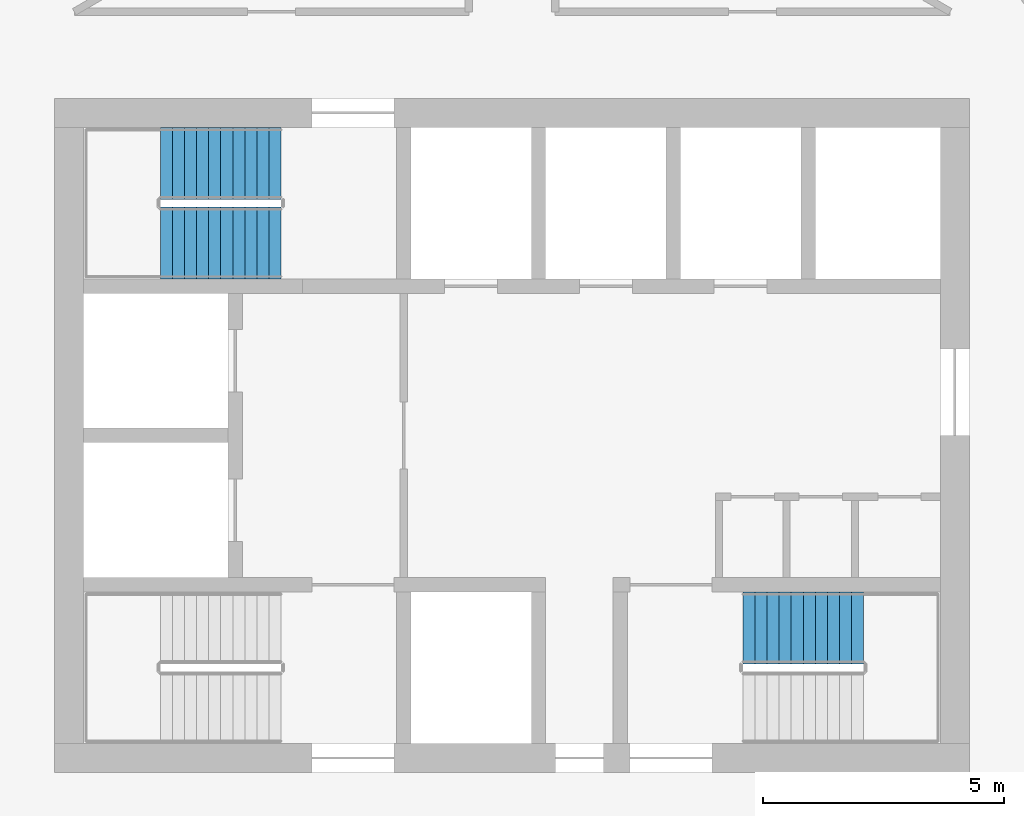
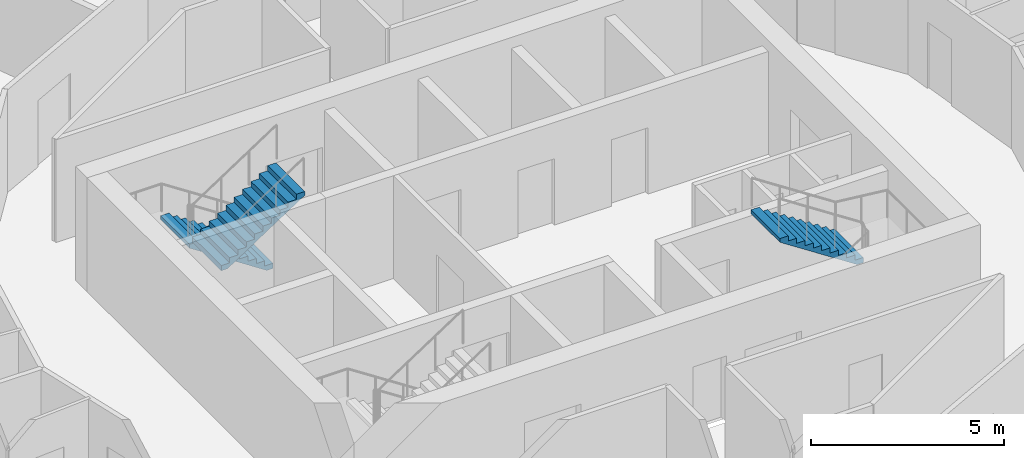
# One storey, part 11 of 12: 3 stair flights, 2 elements without a shape of their own.
"""IFC4 building model written with IfcOpenShell, lengths in metres."""

from ifc_helpers import new_model, si_unit, direction, frame, origin, place, context, subcontext, project, spatial, polyline, outline, extrude, material, type_object, element, aggregate, save


model = new_model("IFC4")

# Units and contexts
model_context = context("Model", 3, precision=1e-05, world=origin(), true_north=direction((0.0, 1.0)))
body_context = subcontext(model_context, "Body", "Model", "MODEL_VIEW")
ifc_project = project(units=[si_unit("LENGTHUNIT", "METRE"), si_unit("AREAUNIT", "SQUARE_METRE"), si_unit("VOLUMEUNIT", "CUBIC_METRE"), si_unit("PLANEANGLEUNIT", "RADIAN"), si_unit("MASSUNIT", "GRAM", prefix="KILO")], contexts=[model_context])

# Site, building, storey
site_placement = place(None, origin())
site = spatial("IfcSite", under=ifc_project, at=site_placement, CompositionType="ELEMENT")
building_placement = place(site_placement, origin())
building = spatial("IfcBuilding", under=site, at=building_placement, Name="Tracery Tower", CompositionType="ELEMENT")
storey_placement = place(building_placement, frame((0.0, 0.0, 234.60009765625)))
storey = spatial("IfcBuildingStorey", under=building, at=storey_placement, Name="L60", CompositionType="ELEMENT", Elevation=234.60009765625)

# Stair, stair flights
ifc_material_1 = material(Name="Concrete C32/40", Category="concrete")
stair_type = type_object("IfcStairType", Name="Core stair 22 risers", PredefinedType="HALF_TURN_STAIR", material=ifc_material_1)
stair_1_placement = place(storey_placement, origin())
stair_1 = element("IfcStair", 1, at=stair_1_placement, inside=storey, type_object=stair_type, Name="L60 stair ST3", PredefinedType="HALF_TURN_STAIR")
ifc_material_2 = material(Name="Concrete C32/40", Category="concrete")
stair_flight_type = type_object("IfcStairFlightType", Name="Core stair flight 11 risers", PredefinedType="STRAIGHT", material=ifc_material_2)
stair_flight_1_placement = place(storey_placement, frame((-4.800048828125, 5.64990234375, 0.0), z_axis=(0.0, 0.0, 1.0), x_axis=(-1.0, 0.0, 0.0)))
stair_flight_1 = element("IfcStairFlight", 2, at=stair_flight_1_placement, type_object=stair_flight_type, Name="ST3 flight 1", NumberOfRisers=11, NumberOfTreads=10, PredefinedType="STRAIGHT", RiserHeight=0.163636364, TreadLength=0.25, context=body_context, shape_type="SweptSolid", body=[
    extrude(outline(polyline([(0.0, 0.0), (0.0, 0.002685546875), (0.0, 0.00537109375), (0.0, 0.008056640625), (0.0, 0.0107421875), (0.0, 0.013427734375), (0.0, 0.01611328125), (0.0, 0.018798828125), (0.0, 0.021484375), (0.0, 0.024169921875), (0.0, 0.02685546875), (0.0, 0.029541015625), (0.0, 0.0322265625), (0.0, 0.034912109375), (0.0, 0.03759765625), (0.0, 0.040283203125), (0.0, 0.04296875), (0.0, 0.045654296875), (0.0, 0.04833984375), (0.0, 0.051025390625), (0.0, 0.0537109375), (0.0, 0.056396484375), (0.0, 0.05908203125), (0.0, 0.061767578125), (0.0, 0.064453125), (0.0, 0.067138671875), (0.0, 0.06982421875), (0.0, 0.072509765625), (0.0, 0.0751953125), (0.0, 0.077880859375), (0.0, 0.08056640625), (0.0, 0.083251953125), (0.0, 0.0859375), (0.0, 0.088623046875), (0.0, 0.09130859375), (0.0, 0.093994140625), (0.0, 0.0966796875), (0.0, 0.099365234375), (0.0, 0.10205078125), (0.0, 0.104736328125), (0.0, 0.107421875), (0.0, 0.10986328125), (0.0, 0.112548828125), (0.0, 0.115234375), (0.0, 0.117919921875), (0.0, 0.12060546875), (0.0, 0.123291015625), (0.0, 0.1259765625), (0.0, 0.128662109375), (0.0, 0.13134765625), (0.0, 0.134033203125), (0.0, 0.13671875), (0.0, 0.139404296875), (0.0, 0.14208984375), (0.0, 0.144775390625), (0.0, 0.1474609375), (0.0, 0.150146484375), (0.0, 0.15283203125), (0.0, 0.155517578125), (0.0, 0.158203125), (0.0, 0.160888671875), (0.0, 0.16357421875), (0.25, 0.16357421875), (0.25, 0.327392578125), (0.5, 0.327392578125), (0.5, 0.490966796875), (0.75, 0.490966796875), (0.75, 0.654541015625), (1.0, 0.654541015625), (1.0, 0.818115234375), (1.25, 0.818115234375), (1.25, 0.98193359375), (1.5, 0.98193359375), (1.5, 1.1455078125), (1.75, 1.1455078125), (1.75, 1.30908203125), (2.0, 1.30908203125), (2.0, 1.47265625), (2.25, 1.47265625), (2.25, 1.636474609375), (2.5, 1.636474609375), (2.5, 1.634521484375), (2.5, 1.63232421875), (2.5, 1.63037109375), (2.5, 1.62841796875), (2.5, 1.62646484375), (2.5, 1.62451171875), (2.5, 1.62255859375), (2.5, 1.62060546875), (2.5, 1.61865234375), (2.5, 1.61669921875), (2.5, 1.61474609375), (2.5, 1.61279296875), (2.5, 1.61083984375), (2.5, 1.60888671875), (2.5, 1.60693359375), (2.5, 1.60498046875), (2.5, 1.60302734375), (2.5, 1.60107421875), (2.5, 1.59912109375), (2.5, 1.59716796875), (2.5, 1.59521484375), (2.5, 1.59326171875), (2.5, 1.59130859375), (2.5, 1.58935546875), (2.5, 1.58740234375), (2.5, 1.58544921875), (2.5, 1.58349609375), (2.5, 1.58154296875), (2.5, 1.57958984375), (2.5, 1.57763671875), (2.5, 1.57568359375), (2.5, 1.573486328125), (2.5, 1.571533203125), (2.5, 1.569580078125), (2.5, 1.567626953125), (2.5, 1.565673828125), (2.5, 1.563720703125), (2.5, 1.561767578125), (2.5, 1.559814453125), (2.5, 1.557861328125), (2.5, 1.555908203125), (2.5, 1.553955078125), (2.5, 1.552001953125), (2.5, 1.550048828125), (2.5, 1.548095703125), (2.5, 1.546142578125), (2.5, 1.544189453125), (2.5, 1.542236328125), (2.5, 1.540283203125), (2.5, 1.538330078125), (2.5, 1.536376953125), (2.5, 1.534423828125), (2.5, 1.532470703125), (2.5, 1.530517578125), (2.5, 1.528564453125), (2.5, 1.526611328125), (2.5, 1.524658203125), (2.5, 1.522705078125), (2.5, 1.520751953125), (2.5, 1.518798828125), (2.5, 1.516845703125), (0.182861328125, 0.0), (0.0, 0.0)])), frame((0.0, 0.75, 0.0), z_axis=(0.0, -1.0, 0.0), x_axis=(1.0, 0.0, 0.0)), (0.0, 0.0, 1.0), 1.5),
])
stair_flight_2_placement = place(storey_placement, frame((-7.300048828125, 4.0, 1.7998046875), z_axis=(0.0, 0.0, 1.0), x_axis=(1.0, 0.0, 0.0)))
stair_flight_2 = element("IfcStairFlight", 3, at=stair_flight_2_placement, type_object=stair_flight_type, Name="ST3 flight 2", NumberOfRisers=11, NumberOfTreads=10, PredefinedType="STRAIGHT", RiserHeight=0.163636364, TreadLength=0.25, context=body_context, shape_type="SweptSolid", body=[
    extrude(outline(polyline([(0.0, 0.0), (0.0, 0.002685546875), (0.0, 0.00537109375), (0.0, 0.008056640625), (0.0, 0.0107421875), (0.0, 0.013427734375), (0.0, 0.01611328125), (0.0, 0.018798828125), (0.0, 0.021484375), (0.0, 0.024169921875), (0.0, 0.02685546875), (0.0, 0.029541015625), (0.0, 0.0322265625), (0.0, 0.034912109375), (0.0, 0.03759765625), (0.0, 0.040283203125), (0.0, 0.04296875), (0.0, 0.045654296875), (0.0, 0.04833984375), (0.0, 0.051025390625), (0.0, 0.0537109375), (0.0, 0.056396484375), (0.0, 0.05908203125), (0.0, 0.061767578125), (0.0, 0.064453125), (0.0, 0.067138671875), (0.0, 0.06982421875), (0.0, 0.072509765625), (0.0, 0.0751953125), (0.0, 0.077880859375), (0.0, 0.08056640625), (0.0, 0.083251953125), (0.0, 0.0859375), (0.0, 0.088623046875), (0.0, 0.09130859375), (0.0, 0.093994140625), (0.0, 0.0966796875), (0.0, 0.099365234375), (0.0, 0.10205078125), (0.0, 0.104736328125), (0.0, 0.107421875), (0.0, 0.10986328125), (0.0, 0.112548828125), (0.0, 0.115234375), (0.0, 0.117919921875), (0.0, 0.12060546875), (0.0, 0.123291015625), (0.0, 0.1259765625), (0.0, 0.128662109375), (0.0, 0.13134765625), (0.0, 0.134033203125), (0.0, 0.13671875), (0.0, 0.139404296875), (0.0, 0.14208984375), (0.0, 0.144775390625), (0.0, 0.1474609375), (0.0, 0.150146484375), (0.0, 0.15283203125), (0.0, 0.155517578125), (0.0, 0.158203125), (0.0, 0.160888671875), (0.0, 0.16357421875), (0.25, 0.16357421875), (0.25, 0.327392578125), (0.5, 0.327392578125), (0.5, 0.490966796875), (0.75, 0.490966796875), (0.75, 0.654541015625), (1.0, 0.654541015625), (1.0, 0.818115234375), (1.25, 0.818115234375), (1.25, 0.98193359375), (1.5, 0.98193359375), (1.5, 1.1455078125), (1.75, 1.1455078125), (1.75, 1.30908203125), (2.0, 1.30908203125), (2.0, 1.47265625), (2.25, 1.47265625), (2.25, 1.636474609375), (2.5, 1.636474609375), (2.5, 1.634521484375), (2.5, 1.63232421875), (2.5, 1.63037109375), (2.5, 1.62841796875), (2.5, 1.62646484375), (2.5, 1.62451171875), (2.5, 1.62255859375), (2.5, 1.62060546875), (2.5, 1.61865234375), (2.5, 1.61669921875), (2.5, 1.61474609375), (2.5, 1.61279296875), (2.5, 1.61083984375), (2.5, 1.60888671875), (2.5, 1.60693359375), (2.5, 1.60498046875), (2.5, 1.60302734375), (2.5, 1.60107421875), (2.5, 1.59912109375), (2.5, 1.59716796875), (2.5, 1.59521484375), (2.5, 1.59326171875), (2.5, 1.59130859375), (2.5, 1.58935546875), (2.5, 1.58740234375), (2.5, 1.58544921875), (2.5, 1.58349609375), (2.5, 1.58154296875), (2.5, 1.57958984375), (2.5, 1.57763671875), (2.5, 1.57568359375), (2.5, 1.573486328125), (2.5, 1.571533203125), (2.5, 1.569580078125), (2.5, 1.567626953125), (2.5, 1.565673828125), (2.5, 1.563720703125), (2.5, 1.561767578125), (2.5, 1.559814453125), (2.5, 1.557861328125), (2.5, 1.555908203125), (2.5, 1.553955078125), (2.5, 1.552001953125), (2.5, 1.550048828125), (2.5, 1.548095703125), (2.5, 1.546142578125), (2.5, 1.544189453125), (2.5, 1.542236328125), (2.5, 1.540283203125), (2.5, 1.538330078125), (2.5, 1.536376953125), (2.5, 1.534423828125), (2.5, 1.532470703125), (2.5, 1.530517578125), (2.5, 1.528564453125), (2.5, 1.526611328125), (2.5, 1.524658203125), (2.5, 1.522705078125), (2.5, 1.520751953125), (2.5, 1.518798828125), (2.5, 1.516845703125), (0.182861328125, 0.0), (0.0, 0.0)])), frame((0.0, 0.75, 0.0), z_axis=(0.0, -1.0, 0.0), x_axis=(1.0, 0.0, 0.0)), (0.0, 0.0, 1.0), 1.5),
])
aggregate(stair_1, [stair_flight_1, stair_flight_2])

# Stair, stair flight
stair_2_placement = place(storey_placement, origin())
stair_2 = element("IfcStair", 4, at=stair_2_placement, inside=storey, type_object=stair_type, Name="L60 stair ST2", PredefinedType="HALF_TURN_STAIR")
stair_flight_3_placement = place(storey_placement, frame((7.300048828125, -4.0, 1.7998046875), z_axis=(0.0, 0.0, 1.0), x_axis=(-1.0, 0.0, 0.0)))
stair_flight_3 = element("IfcStairFlight", 5, at=stair_flight_3_placement, type_object=stair_flight_type, Name="ST2 flight 2", NumberOfRisers=11, NumberOfTreads=10, PredefinedType="STRAIGHT", RiserHeight=0.163636364, TreadLength=0.25, context=body_context, shape_type="SweptSolid", body=[
    extrude(outline(polyline([(0.0, 0.0), (0.0, 0.002685546875), (0.0, 0.00537109375), (0.0, 0.008056640625), (0.0, 0.0107421875), (0.0, 0.013427734375), (0.0, 0.01611328125), (0.0, 0.018798828125), (0.0, 0.021484375), (0.0, 0.024169921875), (0.0, 0.02685546875), (0.0, 0.029541015625), (0.0, 0.0322265625), (0.0, 0.034912109375), (0.0, 0.03759765625), (0.0, 0.040283203125), (0.0, 0.04296875), (0.0, 0.045654296875), (0.0, 0.04833984375), (0.0, 0.051025390625), (0.0, 0.0537109375), (0.0, 0.056396484375), (0.0, 0.05908203125), (0.0, 0.061767578125), (0.0, 0.064453125), (0.0, 0.067138671875), (0.0, 0.06982421875), (0.0, 0.072509765625), (0.0, 0.0751953125), (0.0, 0.077880859375), (0.0, 0.08056640625), (0.0, 0.083251953125), (0.0, 0.0859375), (0.0, 0.088623046875), (0.0, 0.09130859375), (0.0, 0.093994140625), (0.0, 0.0966796875), (0.0, 0.099365234375), (0.0, 0.10205078125), (0.0, 0.104736328125), (0.0, 0.107421875), (0.0, 0.10986328125), (0.0, 0.112548828125), (0.0, 0.115234375), (0.0, 0.117919921875), (0.0, 0.12060546875), (0.0, 0.123291015625), (0.0, 0.1259765625), (0.0, 0.128662109375), (0.0, 0.13134765625), (0.0, 0.134033203125), (0.0, 0.13671875), (0.0, 0.139404296875), (0.0, 0.14208984375), (0.0, 0.144775390625), (0.0, 0.1474609375), (0.0, 0.150146484375), (0.0, 0.15283203125), (0.0, 0.155517578125), (0.0, 0.158203125), (0.0, 0.160888671875), (0.0, 0.16357421875), (0.25, 0.16357421875), (0.25, 0.327392578125), (0.5, 0.327392578125), (0.5, 0.490966796875), (0.75, 0.490966796875), (0.75, 0.654541015625), (1.0, 0.654541015625), (1.0, 0.818115234375), (1.25, 0.818115234375), (1.25, 0.98193359375), (1.5, 0.98193359375), (1.5, 1.1455078125), (1.75, 1.1455078125), (1.75, 1.30908203125), (2.0, 1.30908203125), (2.0, 1.47265625), (2.25, 1.47265625), (2.25, 1.636474609375), (2.5, 1.636474609375), (2.5, 1.634521484375), (2.5, 1.63232421875), (2.5, 1.63037109375), (2.5, 1.62841796875), (2.5, 1.62646484375), (2.5, 1.62451171875), (2.5, 1.62255859375), (2.5, 1.62060546875), (2.5, 1.61865234375), (2.5, 1.61669921875), (2.5, 1.61474609375), (2.5, 1.61279296875), (2.5, 1.61083984375), (2.5, 1.60888671875), (2.5, 1.60693359375), (2.5, 1.60498046875), (2.5, 1.60302734375), (2.5, 1.60107421875), (2.5, 1.59912109375), (2.5, 1.59716796875), (2.5, 1.59521484375), (2.5, 1.59326171875), (2.5, 1.59130859375), (2.5, 1.58935546875), (2.5, 1.58740234375), (2.5, 1.58544921875), (2.5, 1.58349609375), (2.5, 1.58154296875), (2.5, 1.57958984375), (2.5, 1.57763671875), (2.5, 1.57568359375), (2.5, 1.573486328125), (2.5, 1.571533203125), (2.5, 1.569580078125), (2.5, 1.567626953125), (2.5, 1.565673828125), (2.5, 1.563720703125), (2.5, 1.561767578125), (2.5, 1.559814453125), (2.5, 1.557861328125), (2.5, 1.555908203125), (2.5, 1.553955078125), (2.5, 1.552001953125), (2.5, 1.550048828125), (2.5, 1.548095703125), (2.5, 1.546142578125), (2.5, 1.544189453125), (2.5, 1.542236328125), (2.5, 1.540283203125), (2.5, 1.538330078125), (2.5, 1.536376953125), (2.5, 1.534423828125), (2.5, 1.532470703125), (2.5, 1.530517578125), (2.5, 1.528564453125), (2.5, 1.526611328125), (2.5, 1.524658203125), (2.5, 1.522705078125), (2.5, 1.520751953125), (2.5, 1.518798828125), (2.5, 1.516845703125), (0.182861328125, 0.0), (0.0, 0.0)])), frame((0.0, 0.75, 0.0), z_axis=(0.0, -1.0, 0.0), x_axis=(1.0, 0.0, 0.0)), (0.0, 0.0, 1.0), 1.5),
])
aggregate(stair_2, [stair_flight_3])

save(model, "model.ifc")
